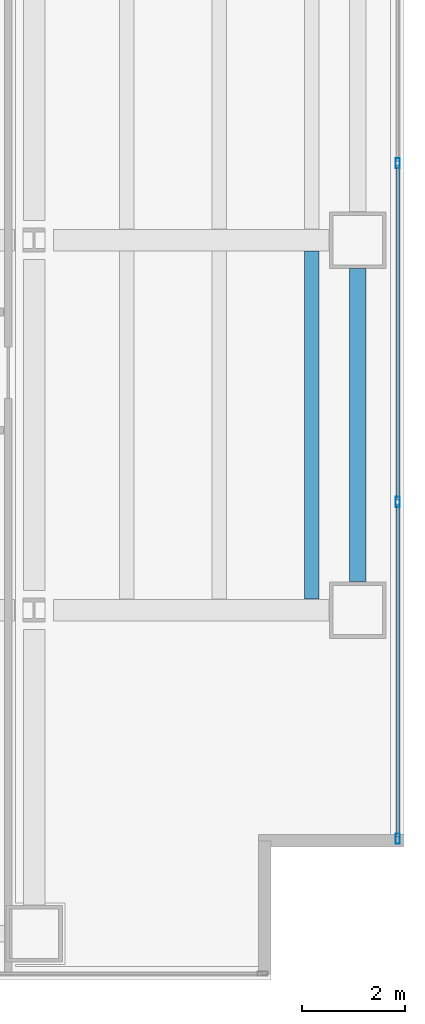
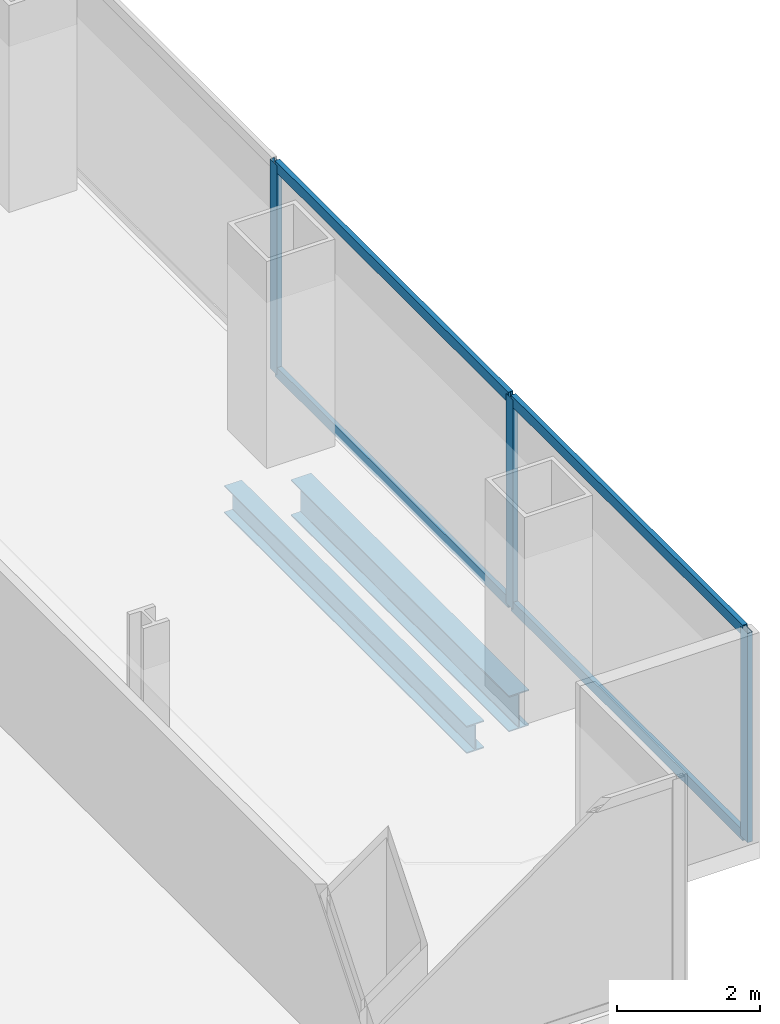
# One storey, part 10 of 24: 7 members, 2 beams, 1 element without a shape of its own.
"""IFC4 building model written with IfcOpenShell, lengths in metres."""

from ifc_helpers import new_model, si_unit, direction, frame, origin, origin_2d, place, context, subcontext, project, spatial, hollow_rectangle, i_section, extrude, material, material_profile, profile_set, type_object, element, aggregate, save


model = new_model("IFC4")

# Units and contexts
model_context = context("Model", 3, precision=1e-05, world=origin(), true_north=direction((0.0, 1.0)))
body_context = subcontext(model_context, "Body", "Model", "MODEL_VIEW")
ifc_project = project(units=[si_unit("LENGTHUNIT", "METRE"), si_unit("AREAUNIT", "SQUARE_METRE"), si_unit("VOLUMEUNIT", "CUBIC_METRE"), si_unit("PLANEANGLEUNIT", "RADIAN"), si_unit("MASSUNIT", "GRAM", prefix="KILO")], contexts=[model_context])

# Site, building, storey
site_placement = place(None, origin())
site = spatial("IfcSite", under=ifc_project, at=site_placement, CompositionType="ELEMENT")
building_placement = place(site_placement, origin())
building = spatial("IfcBuilding", under=site, at=building_placement, Name="Cobrela Telecom Tower", CompositionType="ELEMENT")
storey_placement = place(building_placement, frame((0.0, 0.0, 31.14990234375)))
storey = spatial("IfcBuildingStorey", under=building, at=storey_placement, Name="L07", CompositionType="ELEMENT", Elevation=31.14990234375)

# Beams
ifc_material_1 = material(Name="Steel ASTM A992 Grade 50", Category="steel")
ifc_material_profile_1 = material_profile(ifc_material_1, i_section(OverallWidth=0.281982421875, OverallDepth=0.467041015625, WebThickness=0.01220703125, FlangeThickness=0.01953125, FilletRadius=0.012939453125, at=origin_2d()), Name="W18X86")
ifc_profile_set_1 = profile_set([ifc_material_profile_1], Name="Steel ASTM A992 Grade 50")
beam_type_1 = type_object("IfcBeamType", Name="BM-JOIST-02", PredefinedType="JOIST", material=ifc_profile_set_1)
beam_1_placement = place(storey_placement, frame((48.60009765625, 7.41455078125, -0.513427734375), z_axis=(0.0, 1.0, 0.0), x_axis=(-1.0, 0.0, 0.0)))
element("IfcBeam", 1, at=beam_1_placement, inside=storey, type_object=beam_type_1, Name="L07 Secondary Composite Floor Beam J63", PredefinedType="JOIST", context=body_context, shape_type="SweptSolid", body=[
    extrude(i_section(OverallWidth=0.281982421875, OverallDepth=0.467041015625, WebThickness=0.01220703125, FlangeThickness=0.01953125, FilletRadius=0.012939453125, at=origin_2d()), origin(), (0.0, 0.0, 1.0), 6.77099609375),
])
ifc_material_profile_2 = material_profile(ifc_material_1, i_section(OverallWidth=0.324951171875, OverallDepth=0.612060546875, WebThickness=0.0126953125, FlangeThickness=0.01904296875, FilletRadius=0.014892578125, at=origin_2d()), Name="W24X104")
ifc_profile_set_2 = profile_set([ifc_material_profile_2], Name="Steel ASTM A992 Grade 50")
beam_type_2 = type_object("IfcBeamType", Name="BM-SPAND-02", PredefinedType="SPANDREL", material=ifc_profile_set_2)
beam_2_placement = place(storey_placement, frame((49.5, 7.7548828125, -0.5859375), z_axis=(0.0, 1.0, 0.0), x_axis=(-1.0, 0.0, 0.0)))
element("IfcBeam", 2, at=beam_2_placement, inside=storey, type_object=beam_type_2, Name="L07 Perimeter Spandrel Y36", PredefinedType="SPANDREL", context=body_context, shape_type="SweptSolid", body=[
    extrude(i_section(OverallWidth=0.324951171875, OverallDepth=0.612060546875, WebThickness=0.0126953125, FlangeThickness=0.01904296875, FilletRadius=0.014892578125, at=origin_2d()), origin(), (0.0, 0.0, 1.0), 6.090087890625),
])

# Curtain wall, members
ifc_material_2 = material(Name="Anodized Bronze Aluminium 6063-T6", Category="aluminium")
curtain_wall_type = type_object("IfcCurtainWallType", Name="CW-SYS-DATA", PredefinedType="USERDEFINED", material=ifc_material_2)
curtain_wall_placement = place(storey_placement, origin())
curtain_wall = element("IfcCurtainWall", 3, at=curtain_wall_placement, inside=storey, type_object=curtain_wall_type, Name="L07 Unitised Bronze Curtain Wall 14", ObjectType="UNITISED CURTAIN WALL", PredefinedType="USERDEFINED")
ifc_material_profile_3 = material_profile(ifc_material_2, hollow_rectangle(XDim=0.080078125, YDim=0.199951171875, WallThickness=0.00390625, at=origin_2d()), Name="ALU 80x200x4")
ifc_profile_set_3 = profile_set([ifc_material_profile_3], Name="Anodized Bronze Aluminium 6063-T6")
member_type_1 = type_object("IfcMemberType", Name="CW-SYS-DATA-MUL", PredefinedType="MULLION", material=ifc_profile_set_3)
member_1_placement = place(storey_placement, frame((50.280029296875, 15.896728515625, 0.0), z_axis=(0.0, 0.0, 1.0), x_axis=(1.0, 0.0, 0.0)))
member_1 = element("IfcMember", 4, at=member_1_placement, type_object=member_type_1, Name="CW-DATA mullion 2", PredefinedType="MULLION", context=body_context, shape_type="SweptSolid", body=[
    extrude(hollow_rectangle(XDim=0.080078125, YDim=0.199951171875, WallThickness=0.00390625, at=origin_2d()), origin(), (0.0, 0.0, 1.0), 3.570068359375),
])
member_2_placement = place(storey_placement, frame((50.280029296875, 9.30322265625, 0.0), z_axis=(0.0, 0.0, 1.0), x_axis=(1.0, 0.0, 0.0)))
member_2 = element("IfcMember", 5, at=member_2_placement, type_object=member_type_1, Name="CW-DATA mullion 3", PredefinedType="MULLION", context=body_context, shape_type="SweptSolid", body=[
    extrude(hollow_rectangle(XDim=0.080078125, YDim=0.199951171875, WallThickness=0.00390625, at=origin_2d()), origin(), (0.0, 0.0, 1.0), 3.570068359375),
])
member_3_placement = place(storey_placement, frame((50.280029296875, 2.75, 0.0), z_axis=(0.0, 0.0, 1.0), x_axis=(1.0, 0.0, 0.0)))
member_3 = element("IfcMember", 6, at=member_3_placement, type_object=member_type_1, Name="CW-DATA mullion 4", PredefinedType="MULLION", context=body_context, shape_type="SweptSolid", body=[
    extrude(hollow_rectangle(XDim=0.080078125, YDim=0.199951171875, WallThickness=0.00390625, at=origin_2d()), origin(), (0.0, 0.0, 1.0), 3.570068359375),
])
ifc_material_profile_4 = material_profile(ifc_material_2, hollow_rectangle(XDim=0.074951171875, YDim=0.179931640625, WallThickness=0.00390625, at=origin_2d()), Name="ALU 75x180x4")
ifc_profile_set_4 = profile_set([ifc_material_profile_4], Name="Anodized Bronze Aluminium 6063-T6")
member_type_2 = type_object("IfcMemberType", Name="CW-SYS-DATA-TRN", PredefinedType="USERDEFINED", material=ifc_profile_set_4)
member_4_placement = place(storey_placement, frame((50.280029296875, 15.856689453125, 0.03759765625), z_axis=(0.0, -1.0, 0.0), x_axis=(1.0, 0.0, 0.0)))
member_4 = element("IfcMember", 7, at=member_4_placement, type_object=member_type_2, Name="CW-DATA transom 2.1", ObjectType="TRANSOM", PredefinedType="USERDEFINED", context=body_context, shape_type="SweptSolid", body=[
    extrude(hollow_rectangle(XDim=0.074951171875, YDim=0.179931640625, WallThickness=0.00390625, at=origin_2d()), origin(), (0.0, 0.0, 1.0), 6.513427734375),
])
member_5_placement = place(storey_placement, frame((50.280029296875, 15.856689453125, 3.53271484375), z_axis=(0.0, -1.0, 0.0), x_axis=(1.0, 0.0, 0.0)))
member_5 = element("IfcMember", 8, at=member_5_placement, type_object=member_type_2, Name="CW-DATA transom 2.2", ObjectType="TRANSOM", PredefinedType="USERDEFINED", context=body_context, shape_type="SweptSolid", body=[
    extrude(hollow_rectangle(XDim=0.074951171875, YDim=0.179931640625, WallThickness=0.00390625, at=origin_2d()), origin(), (0.0, 0.0, 1.0), 6.513427734375),
])
member_6_placement = place(storey_placement, frame((50.280029296875, 9.263427734375, 0.03759765625), z_axis=(0.0, -1.0, 0.0), x_axis=(1.0, 0.0, 0.0)))
member_6 = element("IfcMember", 9, at=member_6_placement, type_object=member_type_2, Name="CW-DATA transom 3.1", ObjectType="TRANSOM", PredefinedType="USERDEFINED", context=body_context, shape_type="SweptSolid", body=[
    extrude(hollow_rectangle(XDim=0.074951171875, YDim=0.179931640625, WallThickness=0.00390625, at=origin_2d()), origin(), (0.0, 0.0, 1.0), 6.473388671875),
])
member_7_placement = place(storey_placement, frame((50.280029296875, 9.263427734375, 3.53271484375), z_axis=(0.0, -1.0, 0.0), x_axis=(1.0, 0.0, 0.0)))
member_7 = element("IfcMember", 10, at=member_7_placement, type_object=member_type_2, Name="CW-DATA transom 3.2", ObjectType="TRANSOM", PredefinedType="USERDEFINED", context=body_context, shape_type="SweptSolid", body=[
    extrude(hollow_rectangle(XDim=0.074951171875, YDim=0.179931640625, WallThickness=0.00390625, at=origin_2d()), origin(), (0.0, 0.0, 1.0), 6.473388671875),
])
aggregate(curtain_wall, [member_1, member_2, member_3, member_4, member_5, member_6, member_7])

save(model, "model.ifc")
